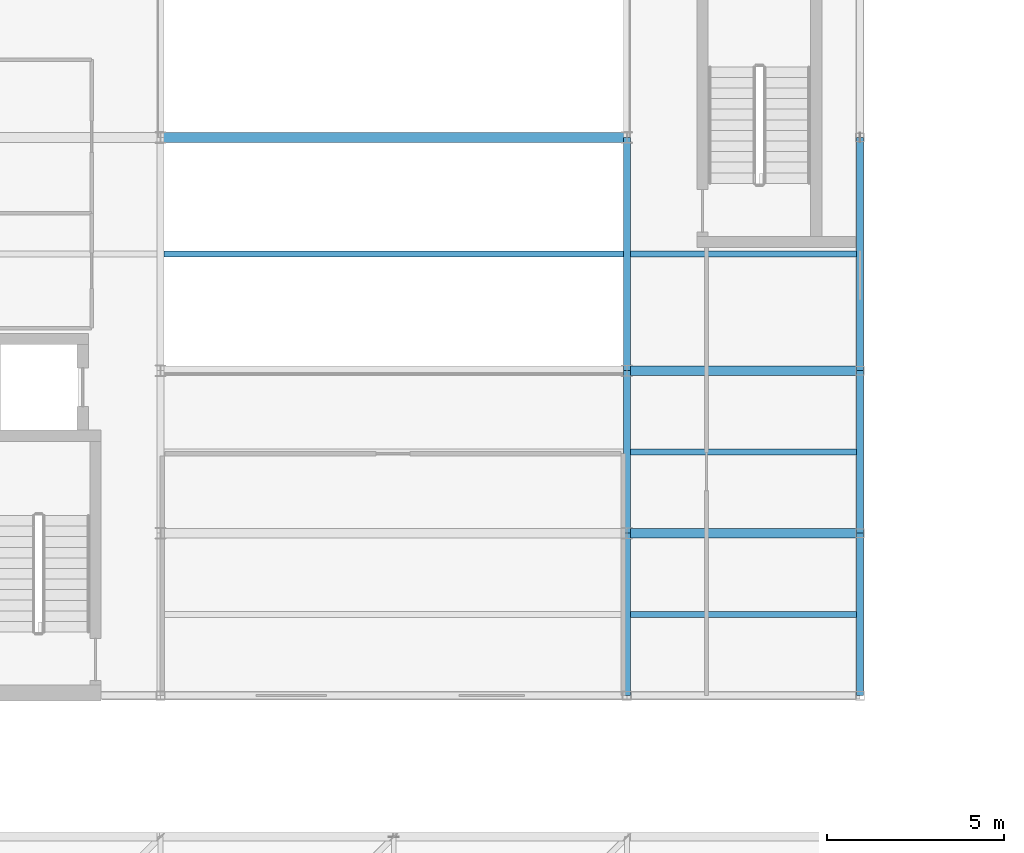
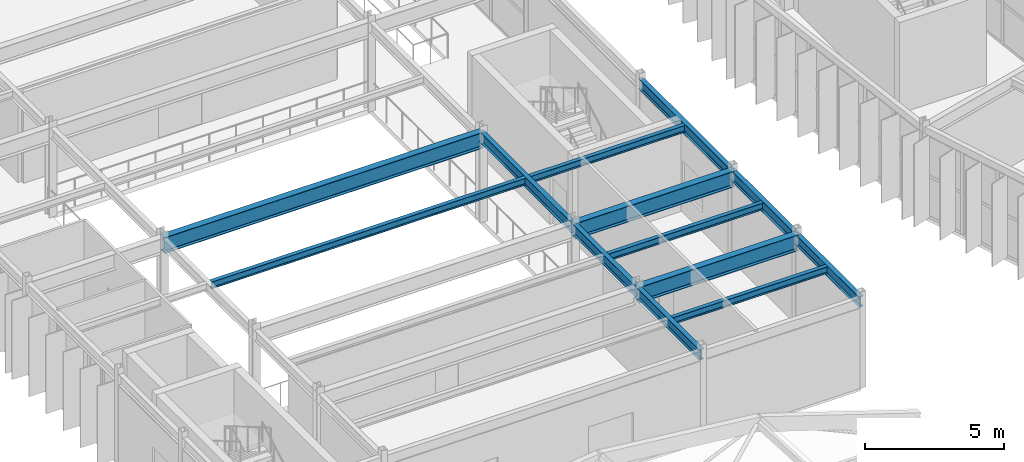
# One storey, part 43 of 157: 13 beams.
"""IFC4 building model written with IfcOpenShell, lengths in metres."""

import ifcopenshell
import ifcopenshell.guid

model = None  # the IFC model being written
_history = None  # IfcOwnerHistory: only IFC2X3 demands one
_inside = {}  # id of a spatial element -> (the spatial element, [elements in it])
_under = {}  # id of a project, library or spatial element -> (it, [spatial elements below it])
_declared = {}  # id of a project -> (the project, [libraries it declares])
_typed = {}  # id of a type object -> (the type object, [elements of that type])
_made_of = {}  # id of a material, layer set ... -> (it, [elements and type objects made of it])


def new_model(schema):
    """Start an empty IFC model of exactly this schema.

    Asked for "IFC4X3", IfcOpenShell would pick the latest addendum, in which some entities
    have other attributes; the version numbers below select the first issue.
    IFC2X3 requires an IfcOwnerHistory on every rooted entity: one is made here for all.
    """
    global model, _history
    if schema == "IFC4X3":
        model = ifcopenshell.file(schema_version=(4, 3, 0, 0))
    else:
        model = ifcopenshell.file(schema=schema)
    _inside.clear()
    _under.clear()
    _declared.clear()
    _typed.clear()
    _made_of.clear()
    _history = None
    if model.schema == "IFC2X3":
        org = make("IfcOrganization", Name="unknown")
        user = make(
            "IfcPersonAndOrganization",
            ThePerson=make("IfcPerson", FamilyName="unknown"),
            TheOrganization=org,
        )
        app = make(
            "IfcApplication",
            ApplicationDeveloper=org,
            Version="unknown",
            ApplicationFullName="unknown",
            ApplicationIdentifier="unknown",
        )
        _history = make(
            "IfcOwnerHistory",
            OwningUser=user,
            OwningApplication=app,
            ChangeAction="ADDED",
            CreationDate=0,
        )
    return model


def make(cls, **values):
    """One entity of the class cls with the attributes given. An attribute that is None is left unset."""
    return model.create_entity(
        cls, **{name: value for name, value in values.items() if value is not None}
    )


def rooted(cls, **values):
    """An entity with a GlobalId (a new one), such as an element, a storey or a relation."""
    return make(cls, GlobalId=ifcopenshell.guid.new(), OwnerHistory=_history, **values)


def si_unit(unit_type, name, prefix=None):
    """IfcSIUnit, for example si_unit("LENGTHUNIT", "METRE", prefix="MILLI")."""
    return make("IfcSIUnit", UnitType=unit_type, Prefix=prefix, Name=name)


def assignment(units):
    """IfcUnitAssignment: the units of a project."""
    return None if units is None else make("IfcUnitAssignment", Units=units)


def point(xyz):
    """IfcCartesianPoint."""
    return None if xyz is None else make("IfcCartesianPoint", Coordinates=xyz)


def direction(xyz):
    """IfcDirection."""
    return None if xyz is None else make("IfcDirection", DirectionRatios=xyz)


def frame(location, z_axis=None, x_axis=None):
    """IfcAxis2Placement3D, a coordinate frame: its origin and axes. An axis left out is left unset."""
    return make(
        "IfcAxis2Placement3D",
        Location=point(location),
        Axis=direction(z_axis),
        RefDirection=direction(x_axis),
    )


def frame_2d(location, x_axis=None):
    """IfcAxis2Placement2D, a coordinate frame in the plane: its origin and x axis."""
    return make(
        "IfcAxis2Placement2D", Location=point(location), RefDirection=direction(x_axis)
    )


def origin():
    """The frame at (0, 0, 0) with its axes left unset."""
    return frame((0.0, 0.0, 0.0))


def origin_2d():
    """The frame at (0, 0) in the plane with its x axis left unset."""
    return frame_2d((0.0, 0.0))


def place(relative_to, where):
    """IfcLocalPlacement: puts the frame where relative to a parent placement (None: the world)."""
    return make(
        "IfcLocalPlacement", PlacementRelTo=relative_to, RelativePlacement=where
    )


def context(
    kind, dimensions, precision=None, world=None, true_north=None, identifier=None
):
    """IfcGeometricRepresentationContext, for example the 3D "Model" context."""
    return make(
        "IfcGeometricRepresentationContext",
        ContextIdentifier=identifier,
        ContextType=kind,
        CoordinateSpaceDimension=dimensions,
        Precision=precision,
        WorldCoordinateSystem=world,
        TrueNorth=true_north,
    )


def subcontext(parent, identifier, kind, view, scale=None):
    """IfcGeometricRepresentationSubContext, for example "Body" below "Model"."""
    return make(
        "IfcGeometricRepresentationSubContext",
        ContextIdentifier=identifier,
        ContextType=kind,
        ParentContext=parent,
        TargetScale=scale,
        TargetView=view,
    )


def project(units=None, contexts=None):
    """IfcProject with its units and contexts."""
    return rooted(
        "IfcProject",
        Name="project",
        RepresentationContexts=contexts,
        UnitsInContext=assignment(units),
    )


def spatial(cls, under=None, at=None, **own):
    """A site, building, storey or space (cls), placed at a placement, below another one or the project."""
    s = rooted(cls, ObjectPlacement=at, **own)
    if under is not None:
        _under.setdefault(under.id(), (under, []))[1].append(s)
    return s


def profile(cls, at=None, kind="AREA", **sizes):
    """A parametric profile (cls). Its sizes go by their IFC names, for example OverallWidth=200.0."""
    return make(cls, ProfileType=kind, Position=at, **sizes)


def i_section(**sizes):
    """IfcIShapeProfileDef."""
    return profile("IfcIShapeProfileDef", **sizes)


def extrude(swept, where, along, depth):
    """IfcExtrudedAreaSolid: the profile swept, set in the frame where, extruded along a direction by depth."""
    return make(
        "IfcExtrudedAreaSolid",
        SweptArea=swept,
        Position=where,
        ExtrudedDirection=direction(along),
        Depth=depth,
    )


def shape(context_of_items, identifier, shape_type, items):
    """IfcShapeRepresentation: the items that make up one representation, for example the "Body"."""
    return make(
        "IfcShapeRepresentation",
        ContextOfItems=context_of_items,
        RepresentationIdentifier=identifier,
        RepresentationType=shape_type,
        Items=items,
    )


def material(Name=None, Category=None):
    """IfcMaterial."""
    return make("IfcMaterial", Name=Name, Category=Category)


def material_profile(
    of_material, cross_section, Name=None, Category=None, Priority=None
):
    """IfcMaterialProfile: a cross section and its material."""
    return make(
        "IfcMaterialProfile",
        Name=Name,
        Material=of_material,
        Profile=cross_section,
        Priority=Priority,
        Category=Category,
    )


def profile_set(profiles, Name=None, composite=None):
    """IfcMaterialProfileSet."""
    return make(
        "IfcMaterialProfileSet",
        Name=Name,
        MaterialProfiles=profiles,
        CompositeProfile=composite,
    )


def made_of(thing, what):
    """Note that an element or type object is made of a material, layer set ...; save() writes the relation."""
    if what is not None:
        _made_of.setdefault(what.id(), (what, []))[1].append(thing)
    return thing


def type_object(cls, material=None, **own):
    """A type object (cls), such as IfcWallType, which elements share."""
    return made_of(rooted(cls, **own), material)


def element(
    cls,
    number,
    at=None,
    inside=None,
    cuts=None,
    type_object=None,
    material=None,
    context=None,
    identifier="Body",
    shape_type=None,
    held_by="IfcProductDefinitionShape",
    body=None,
    shapes=None,
    **own,
):
    """One element of the class cls, such as IfcWall. Its Tag is "e" and its number.

    at: its placement. inside: the storey or other place that contains it. cuts: it is an
    opening in that element (IfcRelVoidsElement). A single representation is given by context,
    identifier, shape_type and body (its items); several are given by shapes. held_by: the class
    of the entity that holds the representations. save() writes the other relations.
    """
    e = rooted(cls, Tag="e%d" % number, ObjectPlacement=at, **own)
    if body is not None:
        shapes = [shape(context, identifier, shape_type, body)]
    if shapes is not None:
        e.Representation = make(held_by, Representations=shapes)
    if inside is not None:
        _inside.setdefault(inside.id(), (inside, []))[1].append(e)
    if cuts is not None:
        rooted(
            "IfcRelVoidsElement", RelatingBuildingElement=cuts, RelatedOpeningElement=e
        )
    if type_object is not None:
        _typed.setdefault(type_object.id(), (type_object, []))[1].append(e)
    return made_of(e, material)


def aggregate(whole, parts):
    """IfcRelAggregates: a whole, such as a stair, and the parts it consists of."""
    return rooted("IfcRelAggregates", RelatingObject=whole, RelatedObjects=parts)


def save(model, path):
    """Write the relations noted so far, then the file.

    IfcRelAggregates (storeys below a building ...), IfcRelContainedInSpatialStructure (elements
    in a storey), IfcRelDefinesByType, IfcRelAssociatesMaterial and IfcRelDeclares: one each for
    every whole, place, type object, material and project.
    """
    for whole, parts in _under.values():
        aggregate(whole, parts)
    for where, things in _inside.values():
        rooted(
            "IfcRelContainedInSpatialStructure",
            RelatedElements=things,
            RelatingStructure=where,
        )
    for kind, things in _typed.values():
        rooted("IfcRelDefinesByType", RelatedObjects=things, RelatingType=kind)
    for what, things in _made_of.values():
        rooted("IfcRelAssociatesMaterial", RelatedObjects=things, RelatingMaterial=what)
    for by, libraries in _declared.values():
        rooted("IfcRelDeclares", RelatingContext=by, RelatedDefinitions=libraries)
    model.write(path)


model = new_model("IFC4")

# Units and contexts
model_context = context("Model", 3, precision=1e-05, world=origin(), true_north=direction((0.0, 1.0)))
body_context = subcontext(model_context, "Body", "Model", "MODEL_VIEW")
ifc_project = project(units=[si_unit("LENGTHUNIT", "METRE"), si_unit("AREAUNIT", "SQUARE_METRE"), si_unit("VOLUMEUNIT", "CUBIC_METRE"), si_unit("PLANEANGLEUNIT", "RADIAN"), si_unit("MASSUNIT", "GRAM", prefix="KILO")], contexts=[model_context])

# Site, building, storey
site_placement = place(None, origin())
site = spatial("IfcSite", under=ifc_project, at=site_placement, CompositionType="ELEMENT")
building_placement = place(site_placement, origin())
building = spatial("IfcBuilding", under=site, at=building_placement, Name="Karori Crest Natural Sciences Institute", CompositionType="ELEMENT")
storey_placement = place(building_placement, frame((0.0, 0.0, 13.300048828125)))
storey = spatial("IfcBuildingStorey", under=building, at=storey_placement, Name="L03", CompositionType="ELEMENT", Elevation=13.300048828125)

# Beams
ifc_material = material(Name="Structural steel AS/NZS 3679.1 Grade 350", Category="steel")
ifc_material_profile_1 = material_profile(ifc_material, i_section(OverallWidth=0.27490234375, OverallDepth=0.699951171875, WebThickness=0.010009765625, FlangeThickness=0.02001953125, FilletRadius=0.013916015625, at=origin_2d()), Name="700WB150")
ifc_profile_set_1 = profile_set([ifc_material_profile_1], Name="Structural steel AS/NZS 3679.1 Grade 350")
beam_type_1 = type_object("IfcBeamType", Name="BT-03", PredefinedType="BEAM", material=ifc_profile_set_1)
for number, where, z_axis, x_axis, name in (
    (1, (20.60009765625, 35.800048828125, 3.570068359375), (1.0, 0.0, 0.0), (0.0, 1.0, 0.0), "Beam B-1144"),
    (2, (20.60009765625, 40.39990234375, 3.570068359375), (1.0, 0.0, 0.0), (0.0, 1.0, 0.0), "Beam B-1146"),
):
    element("IfcBeam", number, at=place(storey_placement, frame(where, z_axis=z_axis, x_axis=x_axis)), inside=storey, type_object=beam_type_1, Name=name, PredefinedType="BEAM", context=body_context, shape_type="SweptSolid", body=[
        extrude(i_section(OverallWidth=0.27490234375, OverallDepth=0.699951171875, WebThickness=0.010009765625, FlangeThickness=0.02001953125, FilletRadius=0.013916015625, at=origin_2d()), origin(), (0.0, 0.0, 1.0), 6.599853515625),
    ])
beam_1_placement = place(storey_placement, frame((7.39990234375, 47.0, 3.570068359375), z_axis=(1.0, 0.0, 0.0), x_axis=(0.0, 1.0, 0.0)))
element("IfcBeam", 3, at=beam_1_placement, inside=storey, type_object=beam_type_1, Name="Beam B-1148", PredefinedType="BEAM", context=body_context, shape_type="SweptSolid", body=[
    extrude(i_section(OverallWidth=0.27490234375, OverallDepth=0.699951171875, WebThickness=0.010009765625, FlangeThickness=0.02001953125, FilletRadius=0.013916015625, at=origin_2d()), origin(), (0.0, 0.0, 1.0), 13.2001953125),
])
ifc_material_profile_2 = material_profile(ifc_material, i_section(OverallWidth=0.19091796875, OverallDepth=0.4599609375, WebThickness=0.010009765625, FlangeThickness=0.01611328125, FilletRadius=0.010986328125, at=origin_2d()), Name="460UB82.1")
ifc_profile_set_2 = profile_set([ifc_material_profile_2], Name="Structural steel AS/NZS 3679.1 Grade 350")
beam_type_2 = type_object("IfcBeamType", Name="BT-06", PredefinedType="BEAM", material=ifc_profile_set_2)
beam_2_placement = place(storey_placement, frame((20.60009765625, 31.199951171875, 3.68994140625), z_axis=(0.0, 1.0, 0.0), x_axis=(-1.0, 0.0, 0.0)))
element("IfcBeam", 4, at=beam_2_placement, inside=storey, type_object=beam_type_2, Name="Beam B-1175", PredefinedType="BEAM", context=body_context, shape_type="SweptSolid", body=[
    extrude(i_section(OverallWidth=0.19091796875, OverallDepth=0.4599609375, WebThickness=0.010009765625, FlangeThickness=0.01611328125, FilletRadius=0.010986328125, at=origin_2d()), origin(), (0.0, 0.0, 1.0), 4.60009765625),
])
beam_3_placement = place(storey_placement, frame((20.60009765625, 35.800048828125, 3.68994140625), z_axis=(0.0, 1.0, 0.0), x_axis=(-1.0, 0.0, 0.0)))
element("IfcBeam", 5, at=beam_3_placement, inside=storey, type_object=beam_type_2, Name="Beam B-1176", PredefinedType="BEAM", context=body_context, shape_type="SweptSolid", body=[
    extrude(i_section(OverallWidth=0.19091796875, OverallDepth=0.4599609375, WebThickness=0.010009765625, FlangeThickness=0.01611328125, FilletRadius=0.010986328125, at=origin_2d()), origin(), (0.0, 0.0, 1.0), 4.599853515625),
])
beam_4_placement = place(storey_placement, frame((20.60009765625, 40.39990234375, 3.68994140625), z_axis=(0.0, 1.0, 0.0), x_axis=(-1.0, 0.0, 0.0)))
element("IfcBeam", 6, at=beam_4_placement, inside=storey, type_object=beam_type_2, Name="Beam B-1177", PredefinedType="BEAM", context=body_context, shape_type="SweptSolid", body=[
    extrude(i_section(OverallWidth=0.19091796875, OverallDepth=0.4599609375, WebThickness=0.010009765625, FlangeThickness=0.01611328125, FilletRadius=0.010986328125, at=origin_2d()), origin(), (0.0, 0.0, 1.0), 6.60009765625),
])
ifc_material_profile_3 = material_profile(ifc_material, i_section(OverallWidth=0.19091796875, OverallDepth=0.4599609375, WebThickness=0.010009765625, FlangeThickness=0.01611328125, FilletRadius=0.010986328125, at=origin_2d()), Name="460UB82.1")
ifc_profile_set_3 = profile_set([ifc_material_profile_3], Name="Structural steel AS/NZS 3679.1 Grade 350")
beam_type_3 = type_object("IfcBeamType", Name="BT-06-EL", PredefinedType="BEAM", material=ifc_profile_set_3)
beam_5_placement = place(storey_placement, frame((27.199951171875, 31.199951171875, 3.68994140625), z_axis=(0.0, 1.0, 0.0), x_axis=(-1.0, 0.0, 0.0)))
element("IfcBeam", 7, at=beam_5_placement, inside=storey, type_object=beam_type_3, Name="Beam B-1182", PredefinedType="BEAM", context=body_context, shape_type="SweptSolid", body=[
    extrude(i_section(OverallWidth=0.19091796875, OverallDepth=0.4599609375, WebThickness=0.010009765625, FlangeThickness=0.01611328125, FilletRadius=0.010986328125, at=origin_2d()), origin(), (0.0, 0.0, 1.0), 4.60009765625),
])
beam_6_placement = place(storey_placement, frame((27.199951171875, 35.800048828125, 3.68994140625), z_axis=(0.0, 1.0, 0.0), x_axis=(-1.0, 0.0, 0.0)))
element("IfcBeam", 8, at=beam_6_placement, inside=storey, type_object=beam_type_3, Name="Beam B-1183", PredefinedType="BEAM", context=body_context, shape_type="SweptSolid", body=[
    extrude(i_section(OverallWidth=0.19091796875, OverallDepth=0.4599609375, WebThickness=0.010009765625, FlangeThickness=0.01611328125, FilletRadius=0.010986328125, at=origin_2d()), origin(), (0.0, 0.0, 1.0), 4.599853515625),
])
beam_7_placement = place(storey_placement, frame((27.199951171875, 40.39990234375, 3.68994140625), z_axis=(0.0, 1.0, 0.0), x_axis=(-1.0, 0.0, 0.0)))
element("IfcBeam", 9, at=beam_7_placement, inside=storey, type_object=beam_type_3, Name="Beam B-1184", PredefinedType="BEAM", context=body_context, shape_type="SweptSolid", body=[
    extrude(i_section(OverallWidth=0.19091796875, OverallDepth=0.4599609375, WebThickness=0.010009765625, FlangeThickness=0.01611328125, FilletRadius=0.010986328125, at=origin_2d()), origin(), (0.0, 0.0, 1.0), 6.60009765625),
])
ifc_material_profile_4 = material_profile(ifc_material, i_section(OverallWidth=0.166015625, OverallDepth=0.306884765625, WebThickness=0.006591796875, FlangeThickness=0.01171875, FilletRadius=0.010986328125, at=origin_2d()), Name="310UB46.2")
ifc_profile_set_4 = profile_set([ifc_material_profile_4], Name="Structural steel AS/NZS 3679.1 Grade 350")
beam_type_4 = type_object("IfcBeamType", Name="BT-09", PredefinedType="BEAM", material=ifc_profile_set_4)
beam_8_placement = place(storey_placement, frame((7.49560546875, 43.699951171875, 3.766357421875), z_axis=(1.0, 0.0, 0.0), x_axis=(0.0, 1.0, 0.0)))
element("IfcBeam", 10, at=beam_8_placement, inside=storey, type_object=beam_type_4, Name="Beam B-1196", PredefinedType="BEAM", context=body_context, shape_type="SweptSolid", body=[
    extrude(i_section(OverallWidth=0.166015625, OverallDepth=0.306884765625, WebThickness=0.006591796875, FlangeThickness=0.01171875, FilletRadius=0.010986328125, at=origin_2d()), origin(), (0.0, 0.0, 1.0), 13.0087890625),
])
for number, where, z_axis, x_axis, name in (
    (11, (20.695556640625, 33.5, 3.766357421875), (1.0, 0.0, 0.0), (0.0, 1.0, 0.0), "Beam B-1201"),
    (12, (20.695556640625, 38.10009765625, 3.766357421875), (1.0, 0.0, 0.0), (0.0, 1.0, 0.0), "Beam B-1202"),
    (13, (20.695556640625, 43.699951171875, 3.766357421875), (1.0, 0.0, 0.0), (0.0, 1.0, 0.0), "Beam B-1203"),
):
    element("IfcBeam", number, at=place(storey_placement, frame(where, z_axis=z_axis, x_axis=x_axis)), inside=storey, type_object=beam_type_4, Name=name, PredefinedType="BEAM", context=body_context, shape_type="SweptSolid", body=[
        extrude(i_section(OverallWidth=0.166015625, OverallDepth=0.306884765625, WebThickness=0.006591796875, FlangeThickness=0.01171875, FilletRadius=0.010986328125, at=origin_2d()), origin(), (0.0, 0.0, 1.0), 6.408935546875),
    ])

save(model, "model.ifc")
